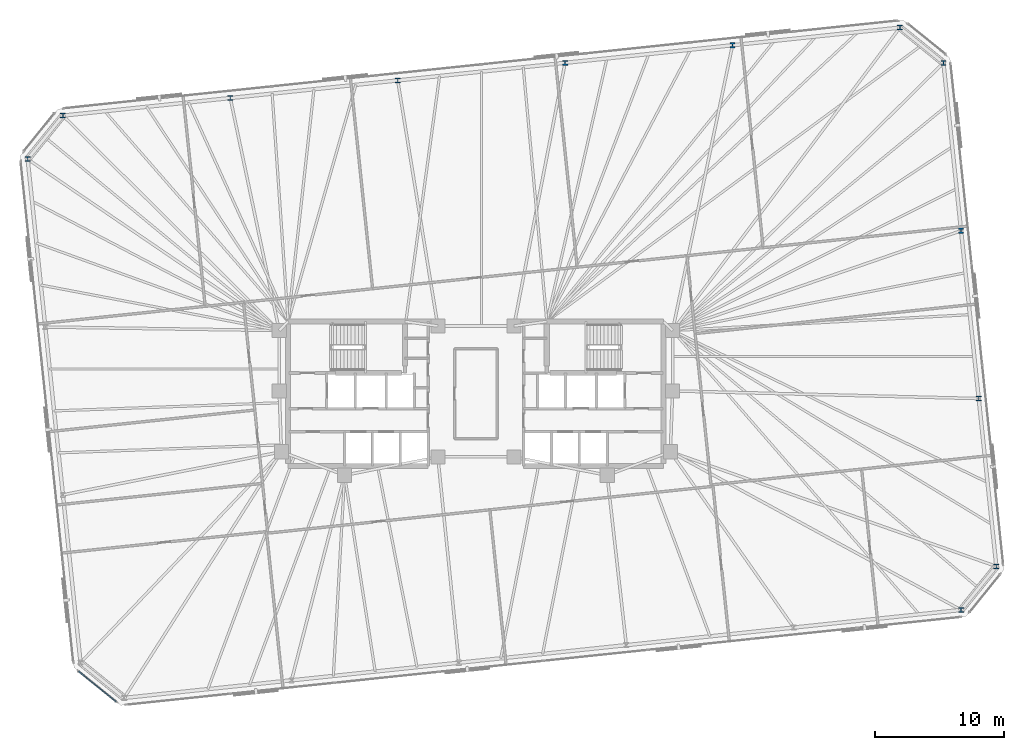
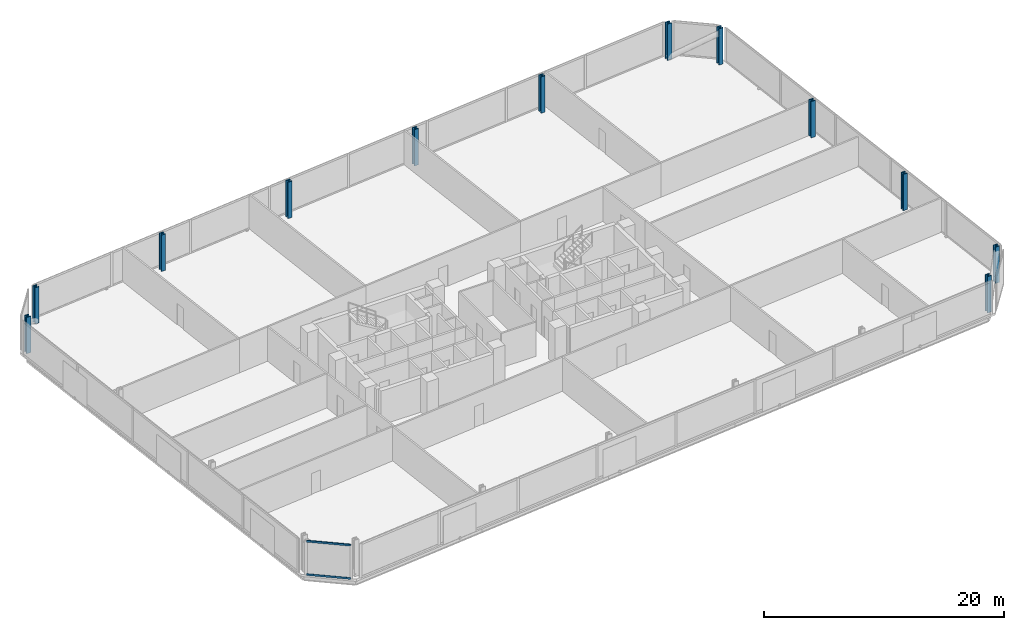
# One storey, part 5 of 18: 12 columns, 2 members, 1 element without a shape of its own.
"""IFC4 building model written with IfcOpenShell, lengths in metres."""

import ifcopenshell
import ifcopenshell.guid

model = None  # the IFC model being written
_history = None  # IfcOwnerHistory: only IFC2X3 demands one
_inside = {}  # id of a spatial element -> (the spatial element, [elements in it])
_under = {}  # id of a project, library or spatial element -> (it, [spatial elements below it])
_declared = {}  # id of a project -> (the project, [libraries it declares])
_typed = {}  # id of a type object -> (the type object, [elements of that type])
_made_of = {}  # id of a material, layer set ... -> (it, [elements and type objects made of it])


def new_model(schema):
    """Start an empty IFC model of exactly this schema.

    Asked for "IFC4X3", IfcOpenShell would pick the latest addendum, in which some entities
    have other attributes; the version numbers below select the first issue.
    IFC2X3 requires an IfcOwnerHistory on every rooted entity: one is made here for all.
    """
    global model, _history
    if schema == "IFC4X3":
        model = ifcopenshell.file(schema_version=(4, 3, 0, 0))
    else:
        model = ifcopenshell.file(schema=schema)
    _inside.clear()
    _under.clear()
    _declared.clear()
    _typed.clear()
    _made_of.clear()
    _history = None
    if model.schema == "IFC2X3":
        org = make("IfcOrganization", Name="unknown")
        user = make(
            "IfcPersonAndOrganization",
            ThePerson=make("IfcPerson", FamilyName="unknown"),
            TheOrganization=org,
        )
        app = make(
            "IfcApplication",
            ApplicationDeveloper=org,
            Version="unknown",
            ApplicationFullName="unknown",
            ApplicationIdentifier="unknown",
        )
        _history = make(
            "IfcOwnerHistory",
            OwningUser=user,
            OwningApplication=app,
            ChangeAction="ADDED",
            CreationDate=0,
        )
    return model


def make(cls, **values):
    """One entity of the class cls with the attributes given. An attribute that is None is left unset."""
    return model.create_entity(
        cls, **{name: value for name, value in values.items() if value is not None}
    )


def rooted(cls, **values):
    """An entity with a GlobalId (a new one), such as an element, a storey or a relation."""
    return make(cls, GlobalId=ifcopenshell.guid.new(), OwnerHistory=_history, **values)


def si_unit(unit_type, name, prefix=None):
    """IfcSIUnit, for example si_unit("LENGTHUNIT", "METRE", prefix="MILLI")."""
    return make("IfcSIUnit", UnitType=unit_type, Prefix=prefix, Name=name)


def assignment(units):
    """IfcUnitAssignment: the units of a project."""
    return None if units is None else make("IfcUnitAssignment", Units=units)


def point(xyz):
    """IfcCartesianPoint."""
    return None if xyz is None else make("IfcCartesianPoint", Coordinates=xyz)


def direction(xyz):
    """IfcDirection."""
    return None if xyz is None else make("IfcDirection", DirectionRatios=xyz)


def frame(location, z_axis=None, x_axis=None):
    """IfcAxis2Placement3D, a coordinate frame: its origin and axes. An axis left out is left unset."""
    return make(
        "IfcAxis2Placement3D",
        Location=point(location),
        Axis=direction(z_axis),
        RefDirection=direction(x_axis),
    )


def frame_2d(location, x_axis=None):
    """IfcAxis2Placement2D, a coordinate frame in the plane: its origin and x axis."""
    return make(
        "IfcAxis2Placement2D", Location=point(location), RefDirection=direction(x_axis)
    )


def origin():
    """The frame at (0, 0, 0) with its axes left unset."""
    return frame((0.0, 0.0, 0.0))


def origin_2d():
    """The frame at (0, 0) in the plane with its x axis left unset."""
    return frame_2d((0.0, 0.0))


def place(relative_to, where):
    """IfcLocalPlacement: puts the frame where relative to a parent placement (None: the world)."""
    return make(
        "IfcLocalPlacement", PlacementRelTo=relative_to, RelativePlacement=where
    )


def context(
    kind, dimensions, precision=None, world=None, true_north=None, identifier=None
):
    """IfcGeometricRepresentationContext, for example the 3D "Model" context."""
    return make(
        "IfcGeometricRepresentationContext",
        ContextIdentifier=identifier,
        ContextType=kind,
        CoordinateSpaceDimension=dimensions,
        Precision=precision,
        WorldCoordinateSystem=world,
        TrueNorth=true_north,
    )


def subcontext(parent, identifier, kind, view, scale=None):
    """IfcGeometricRepresentationSubContext, for example "Body" below "Model"."""
    return make(
        "IfcGeometricRepresentationSubContext",
        ContextIdentifier=identifier,
        ContextType=kind,
        ParentContext=parent,
        TargetScale=scale,
        TargetView=view,
    )


def project(units=None, contexts=None):
    """IfcProject with its units and contexts."""
    return rooted(
        "IfcProject",
        Name="project",
        RepresentationContexts=contexts,
        UnitsInContext=assignment(units),
    )


def spatial(cls, under=None, at=None, **own):
    """A site, building, storey or space (cls), placed at a placement, below another one or the project."""
    s = rooted(cls, ObjectPlacement=at, **own)
    if under is not None:
        _under.setdefault(under.id(), (under, []))[1].append(s)
    return s


def profile(cls, at=None, kind="AREA", **sizes):
    """A parametric profile (cls). Its sizes go by their IFC names, for example OverallWidth=200.0."""
    return make(cls, ProfileType=kind, Position=at, **sizes)


def rectangle(**sizes):
    """IfcRectangleProfileDef."""
    return profile("IfcRectangleProfileDef", **sizes)


def i_section(**sizes):
    """IfcIShapeProfileDef."""
    return profile("IfcIShapeProfileDef", **sizes)


def extrude(swept, where, along, depth):
    """IfcExtrudedAreaSolid: the profile swept, set in the frame where, extruded along a direction by depth."""
    return make(
        "IfcExtrudedAreaSolid",
        SweptArea=swept,
        Position=where,
        ExtrudedDirection=direction(along),
        Depth=depth,
    )


def shape(context_of_items, identifier, shape_type, items):
    """IfcShapeRepresentation: the items that make up one representation, for example the "Body"."""
    return make(
        "IfcShapeRepresentation",
        ContextOfItems=context_of_items,
        RepresentationIdentifier=identifier,
        RepresentationType=shape_type,
        Items=items,
    )


def material(Name=None, Category=None):
    """IfcMaterial."""
    return make("IfcMaterial", Name=Name, Category=Category)


def material_profile(
    of_material, cross_section, Name=None, Category=None, Priority=None
):
    """IfcMaterialProfile: a cross section and its material."""
    return make(
        "IfcMaterialProfile",
        Name=Name,
        Material=of_material,
        Profile=cross_section,
        Priority=Priority,
        Category=Category,
    )


def profile_set(profiles, Name=None, composite=None):
    """IfcMaterialProfileSet."""
    return make(
        "IfcMaterialProfileSet",
        Name=Name,
        MaterialProfiles=profiles,
        CompositeProfile=composite,
    )


def made_of(thing, what):
    """Note that an element or type object is made of a material, layer set ...; save() writes the relation."""
    if what is not None:
        _made_of.setdefault(what.id(), (what, []))[1].append(thing)
    return thing


def type_object(cls, material=None, **own):
    """A type object (cls), such as IfcWallType, which elements share."""
    return made_of(rooted(cls, **own), material)


def element(
    cls,
    number,
    at=None,
    inside=None,
    cuts=None,
    type_object=None,
    material=None,
    context=None,
    identifier="Body",
    shape_type=None,
    held_by="IfcProductDefinitionShape",
    body=None,
    shapes=None,
    **own,
):
    """One element of the class cls, such as IfcWall. Its Tag is "e" and its number.

    at: its placement. inside: the storey or other place that contains it. cuts: it is an
    opening in that element (IfcRelVoidsElement). A single representation is given by context,
    identifier, shape_type and body (its items); several are given by shapes. held_by: the class
    of the entity that holds the representations. save() writes the other relations.
    """
    e = rooted(cls, Tag="e%d" % number, ObjectPlacement=at, **own)
    if body is not None:
        shapes = [shape(context, identifier, shape_type, body)]
    if shapes is not None:
        e.Representation = make(held_by, Representations=shapes)
    if inside is not None:
        _inside.setdefault(inside.id(), (inside, []))[1].append(e)
    if cuts is not None:
        rooted(
            "IfcRelVoidsElement", RelatingBuildingElement=cuts, RelatedOpeningElement=e
        )
    if type_object is not None:
        _typed.setdefault(type_object.id(), (type_object, []))[1].append(e)
    return made_of(e, material)


def aggregate(whole, parts):
    """IfcRelAggregates: a whole, such as a stair, and the parts it consists of."""
    return rooted("IfcRelAggregates", RelatingObject=whole, RelatedObjects=parts)


def save(model, path):
    """Write the relations noted so far, then the file.

    IfcRelAggregates (storeys below a building ...), IfcRelContainedInSpatialStructure (elements
    in a storey), IfcRelDefinesByType, IfcRelAssociatesMaterial and IfcRelDeclares: one each for
    every whole, place, type object, material and project.
    """
    for whole, parts in _under.values():
        aggregate(whole, parts)
    for where, things in _inside.values():
        rooted(
            "IfcRelContainedInSpatialStructure",
            RelatedElements=things,
            RelatingStructure=where,
        )
    for kind, things in _typed.values():
        rooted("IfcRelDefinesByType", RelatedObjects=things, RelatingType=kind)
    for what, things in _made_of.values():
        rooted("IfcRelAssociatesMaterial", RelatedObjects=things, RelatingMaterial=what)
    for by, libraries in _declared.values():
        rooted("IfcRelDeclares", RelatingContext=by, RelatedDefinitions=libraries)
    model.write(path)


model = new_model("IFC4")

# Units and contexts
model_context = context("Model", 3, precision=1e-05, world=origin(), true_north=direction((0.0, 1.0)))
body_context = subcontext(model_context, "Body", "Model", "MODEL_VIEW")
ifc_project = project(units=[si_unit("LENGTHUNIT", "METRE"), si_unit("AREAUNIT", "SQUARE_METRE"), si_unit("VOLUMEUNIT", "CUBIC_METRE"), si_unit("PLANEANGLEUNIT", "RADIAN"), si_unit("MASSUNIT", "GRAM", prefix="KILO")], contexts=[model_context])

# Site, building, storey
site_placement = place(None, origin())
site = spatial("IfcSite", under=ifc_project, at=site_placement, CompositionType="ELEMENT")
building_placement = place(site_placement, origin())
building = spatial("IfcBuilding", under=site, at=building_placement, Name="Menara Jurai Vektor", CompositionType="ELEMENT")
storey_placement = place(building_placement, frame((0.0, 0.0, 117.0)))
storey = spatial("IfcBuildingStorey", under=building, at=storey_placement, Name="L29", CompositionType="ELEMENT", Elevation=117.0)

# Columns
ifc_material_1 = material(Name="Steel S460", Category="steel")
ifc_material_profile_1 = material_profile(ifc_material_1, i_section(OverallWidth=0.4130859375, OverallDepth=0.39794921875, WebThickness=0.055908203125, FlangeThickness=0.089111328125, FilletRadius=0.014892578125, at=origin_2d()), Name="HD 400x744")
ifc_profile_set_1 = profile_set([ifc_material_profile_1], Name="Steel S460")
column_type = type_object("IfcColumnType", Name="STR-EXO-BLK2", PredefinedType="COLUMN", material=ifc_profile_set_1)
for number, where, z_axis, x_axis, name in (
    (1, (37.621826171875, -16.76513671875, 0.0), (0.0, 0.0, 1.0), (1.0, 0.0, 0.0), "Exoskeleton Column BLK2-S6 L29"),
    (2, (40.356201171875, -13.388671875, 0.0), (0.0, 0.0, 1.0), (1.0, 0.0, 0.0), "Exoskeleton Column BLK2-E1 L29"),
    (3, (38.98828125, -0.375, 0.0), (0.0, 0.0, 1.0), (1.0, 0.0, 0.0), "Exoskeleton Column BLK2-E2 L29"),
    (4, (37.62060546875, 12.638427734375, 0.0), (0.0, 0.0, 1.0), (1.0, 0.0, 0.0), "Exoskeleton Column BLK2-E3 L29"),
    (5, (36.252685546875, 25.65185546875, 0.0), (0.0, 0.0, 1.0), (1.0, 0.0, 0.0), "Exoskeleton Column BLK2-E4 L29"),
    (6, (32.876220703125, 28.38623046875, 0.0), (0.0, 0.0, 1.0), (1.0, 0.0, 0.0), "Exoskeleton Column BLK2-N1 L29"),
    (7, (19.896728515625, 27.02197265625, 0.0), (0.0, 0.0, 1.0), (1.0, 0.0, 0.0), "Exoskeleton Column BLK2-N2 L29"),
    (8, (6.9169921875, 25.65771484375, 0.0), (0.0, 0.0, 1.0), (1.0, 0.0, 0.0), "Exoskeleton Column BLK2-N3 L29"),
    (9, (-6.0625, 24.29345703125, 0.0), (0.0, 0.0, 1.0), (1.0, 0.0, 0.0), "Exoskeleton Column BLK2-N4 L29"),
    (10, (-19.042236328125, 22.929443359375, 0.0), (0.0, 0.0, 1.0), (1.0, 0.0, 0.0), "Exoskeleton Column BLK2-N5 L29"),
    (11, (-32.02197265625, 21.565185546875, 0.0), (0.0, 0.0, 1.0), (1.0, 0.0, 0.0), "Exoskeleton Column BLK2-N6 L29"),
    (12, (-34.756103515625, 18.188720703125, 0.0), (0.0, 0.0, 1.0), (1.0, 0.0, 0.0), "Exoskeleton Column BLK2-W1 L29"),
):
    element("IfcColumn", number, at=place(storey_placement, frame(where, z_axis=z_axis, x_axis=x_axis)), inside=storey, type_object=column_type, Name=name, PredefinedType="COLUMN", context=body_context, shape_type="SweptSolid", body=[
        extrude(i_section(OverallWidth=0.4130859375, OverallDepth=0.39794921875, WebThickness=0.055908203125, FlangeThickness=0.089111328125, FilletRadius=0.014892578125, at=origin_2d()), origin(), (0.0, 0.0, 1.0), 3.699951171875),
    ])

# Curtain wall, members
ifc_material_2 = material(Name="Anodised Pale Aluminium & Low-E Double Glazing", Category="aluminium")
curtain_wall_type = type_object("IfcCurtainWallType", Name="CW-BLK2", PredefinedType="NOTDEFINED", material=ifc_material_2)
curtain_wall_placement = place(storey_placement, origin())
curtain_wall = element("IfcCurtainWall", 13, at=curtain_wall_placement, inside=storey, type_object=curtain_wall_type, Name="Unitised Curtain Wall L29 F08", PredefinedType="NOTDEFINED")
ifc_material_3 = material(Name="Anodised Pale Aluminium Transom", Category="aluminium")
ifc_material_profile_2 = material_profile(ifc_material_3, rectangle(XDim=0.090087890625, YDim=0.18505859375, at=origin_2d()), Name="ALU TRN 90x185")
ifc_profile_set_2 = profile_set([ifc_material_profile_2], Name="Anodised Pale Aluminium Transom")
member_type = type_object("IfcMemberType", Name="CW-BLK2-TRN", PredefinedType="USERDEFINED", material=ifc_profile_set_2)
member_1_placement = place(storey_placement, frame((-30.80078125, -21.525634765625, 0.044921875), z_axis=(0.777128916205, -0.6293414396, 0.0), x_axis=(0.6293414396, 0.777128916205, 0.0)))
member_1 = element("IfcMember", 14, at=member_1_placement, type_object=member_type, Name="CW-02 transom 1.1", ObjectType="TRANSOM", PredefinedType="USERDEFINED", context=body_context, shape_type="SweptSolid", body=[
    extrude(rectangle(XDim=0.090087890625, YDim=0.18505859375, at=origin_2d()), origin(), (0.0, 0.0, 1.0), 3.726806640625),
])
member_2_placement = place(storey_placement, frame((-30.80078125, -21.525634765625, 3.429931640625), z_axis=(0.777128916205, -0.6293414396, 0.0), x_axis=(0.6293414396, 0.777128916205, 0.0)))
member_2 = element("IfcMember", 15, at=member_2_placement, type_object=member_type, Name="CW-02 transom 1.2", ObjectType="TRANSOM", PredefinedType="USERDEFINED", context=body_context, shape_type="SweptSolid", body=[
    extrude(rectangle(XDim=0.090087890625, YDim=0.18505859375, at=origin_2d()), origin(), (0.0, 0.0, 1.0), 3.726806640625),
])
aggregate(curtain_wall, [member_1, member_2])

save(model, "model.ifc")
